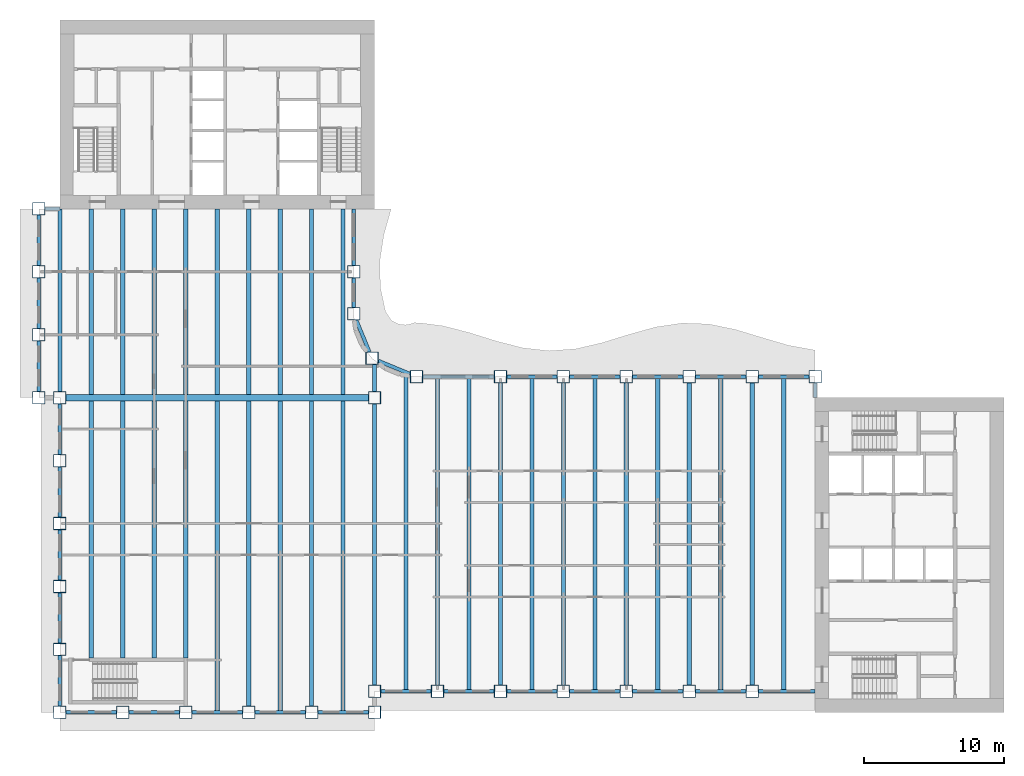
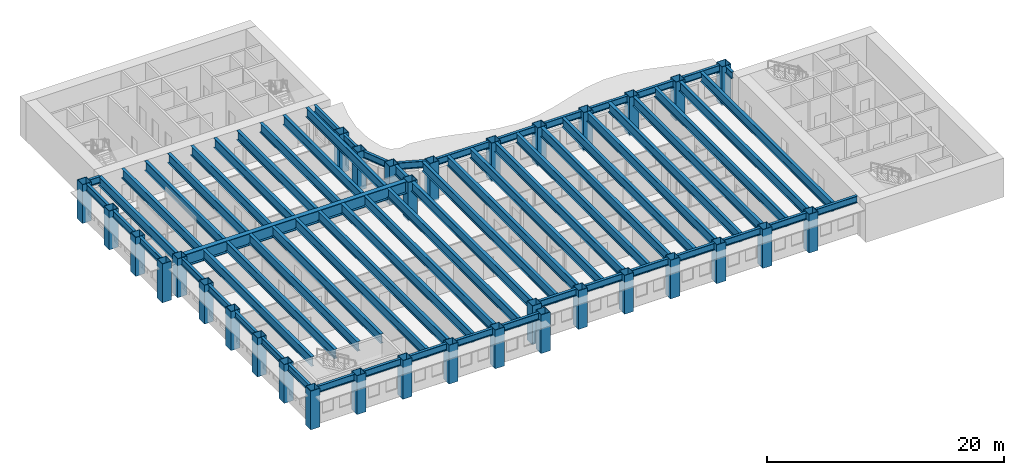
# One storey, part 1 of 16: 67 beams, 33 columns.
"""IFC4 building model written with IfcOpenShell, lengths in metres."""

from ifc_helpers import new_model, si_unit, direction, frame, origin, origin_2d, place, context, subcontext, project, spatial, hollow_rectangle, i_section, extrude, material, material_profile, profile_set, type_object, element, save


model = new_model("IFC4")

# Units and contexts
model_context = context("Model", 3, precision=1e-05, world=origin(), true_north=direction((0.0, 1.0)))
body_context = subcontext(model_context, "Body", "Model", "MODEL_VIEW")
ifc_project = project(units=[si_unit("LENGTHUNIT", "METRE"), si_unit("AREAUNIT", "SQUARE_METRE"), si_unit("VOLUMEUNIT", "CUBIC_METRE"), si_unit("PLANEANGLEUNIT", "RADIAN"), si_unit("MASSUNIT", "GRAM", prefix="KILO")], contexts=[model_context])

# Site, building, storey
site_placement = place(None, origin())
site = spatial("IfcSite", under=ifc_project, at=site_placement, CompositionType="ELEMENT")
building_placement = place(site_placement, origin())
building = spatial("IfcBuilding", under=site, at=building_placement, Name="Sennacour Bend Tower", CompositionType="ELEMENT")
storey_placement = place(building_placement, frame((0.0, 0.0, 171.0)))
storey = spatial("IfcBuildingStorey", under=building, at=storey_placement, Name="L39", CompositionType="ELEMENT", Elevation=171.0)

# Columns
ifc_material_1 = material(Name="Steel ASTM A572 Grade 50", Category="steel")
ifc_material_profile_1 = material_profile(ifc_material_1, hollow_rectangle(XDim=0.89990234375, YDim=0.89990234375, WallThickness=0.044921875, at=origin_2d()), Name="Steel ASTM A572 Grade 50", Category="steel")
ifc_profile_set_1 = profile_set([ifc_material_profile_1], Name="Steel ASTM A572 Grade 50")
column_type = type_object("IfcColumnType", Name="Box column 900", PredefinedType="COLUMN", material=ifc_profile_set_1)
for number, where, z_axis, x_axis, name in (
    (1, (-1.5, 22.5, -0.14990234375), (0.0, 0.0, 1.0), (1.0, 0.0, 0.0), "Perimeter column C3 L39-001"),
    (2, (-1.5, 27.0, -0.14990234375), (0.0, 0.0, 1.0), (1.0, 0.0, 0.0), "Perimeter column C3 L39-002"),
    (3, (-1.5, 31.5, -0.14990234375), (0.0, 0.0, 1.0), (1.0, 0.0, 0.0), "Perimeter column C3 L39-003"),
    (4, (-1.5, 36.0, -0.14990234375), (0.0, 0.0, 1.0), (1.0, 0.0, 0.0), "Perimeter column C3 L39-004"),
    (5, (0.0, 0.0, -0.14990234375), (0.0, 0.0, 1.0), (1.0, 0.0, 0.0), "Perimeter column C3 L39-005"),
    (6, (0.0, 4.5, -0.14990234375), (0.0, 0.0, 1.0), (1.0, 0.0, 0.0), "Perimeter column C3 L39-006"),
    (7, (0.0, 9.0, -0.14990234375), (0.0, 0.0, 1.0), (1.0, 0.0, 0.0), "Perimeter column C3 L39-007"),
    (8, (0.0, 13.5, -0.14990234375), (0.0, 0.0, 1.0), (1.0, 0.0, 0.0), "Perimeter column C3 L39-008"),
    (9, (0.0, 18.0, -0.14990234375), (0.0, 0.0, 1.0), (1.0, 0.0, 0.0), "Perimeter column C3 L39-009"),
    (10, (0.0, 22.5, -0.14990234375), (0.0, 0.0, 1.0), (1.0, 0.0, 0.0), "Perimeter column C3 L39-010"),
    (11, (4.5, 0.0, -0.14990234375), (0.0, 0.0, 1.0), (1.0, 0.0, 0.0), "Perimeter column C3 L39-011"),
    (12, (9.0, 0.0, -0.14990234375), (0.0, 0.0, 1.0), (1.0, 0.0, 0.0), "Perimeter column C3 L39-012"),
    (13, (13.5, 0.0, -0.14990234375), (0.0, 0.0, 1.0), (1.0, 0.0, 0.0), "Perimeter column C3 L39-013"),
    (14, (18.0, 0.0, -0.14990234375), (0.0, 0.0, 1.0), (1.0, 0.0, 0.0), "Perimeter column C3 L39-014"),
    (15, (21.0, 28.5, -0.14990234375), (0.0, 0.0, 1.0), (1.0, 0.0, 0.0), "Perimeter column C3 L39-015"),
    (16, (21.0, 31.5, -0.14990234375), (0.0, 0.0, 1.0), (1.0, 0.0, 0.0), "Perimeter column C3 L39-016"),
    (17, (22.318115234375, 25.318115234375, -0.14990234375), (0.0, 0.0, 1.0), (1.0, 0.0, 0.0), "Perimeter column C3 L39-017"),
    (18, (22.5, 0.0, -0.14990234375), (0.0, 0.0, 1.0), (1.0, 0.0, 0.0), "Perimeter column C3 L39-018"),
    (19, (22.5, 1.5, -0.14990234375), (0.0, 0.0, 1.0), (1.0, 0.0, 0.0), "Perimeter column C3 L39-019"),
    (20, (22.5, 22.5, -0.14990234375), (0.0, 0.0, 1.0), (1.0, 0.0, 0.0), "Knuckle column C3 L39-020"),
    (21, (25.5, 24.0, -0.14990234375), (0.0, 0.0, 1.0), (1.0, 0.0, 0.0), "Perimeter column C3 L39-021"),
    (22, (27.0, 1.5, -0.14990234375), (0.0, 0.0, 1.0), (1.0, 0.0, 0.0), "Perimeter column C3 L39-022"),
    (23, (31.5, 1.5, -0.14990234375), (0.0, 0.0, 1.0), (1.0, 0.0, 0.0), "Perimeter column C3 L39-023"),
    (24, (31.5, 24.0, -0.14990234375), (0.0, 0.0, 1.0), (1.0, 0.0, 0.0), "Perimeter column C3 L39-024"),
    (25, (36.0, 1.5, -0.14990234375), (0.0, 0.0, 1.0), (1.0, 0.0, 0.0), "Perimeter column C3 L39-025"),
    (26, (36.0, 24.0, -0.14990234375), (0.0, 0.0, 1.0), (1.0, 0.0, 0.0), "Perimeter column C3 L39-026"),
    (27, (40.5, 1.5, -0.14990234375), (0.0, 0.0, 1.0), (1.0, 0.0, 0.0), "Perimeter column C3 L39-027"),
    (28, (40.5, 24.0, -0.14990234375), (0.0, 0.0, 1.0), (1.0, 0.0, 0.0), "Perimeter column C3 L39-028"),
    (29, (45.0, 1.5, -0.14990234375), (0.0, 0.0, 1.0), (1.0, 0.0, 0.0), "Perimeter column C3 L39-029"),
    (30, (45.0, 24.0, -0.14990234375), (0.0, 0.0, 1.0), (1.0, 0.0, 0.0), "Perimeter column C3 L39-030"),
    (31, (49.5, 1.5, -0.14990234375), (0.0, 0.0, 1.0), (1.0, 0.0, 0.0), "Perimeter column C3 L39-031"),
    (32, (49.5, 24.0, -0.14990234375), (0.0, 0.0, 1.0), (1.0, 0.0, 0.0), "Perimeter column C3 L39-032"),
    (33, (54.0, 24.0, -0.14990234375), (0.0, 0.0, 1.0), (1.0, 0.0, 0.0), "Perimeter column C3 L39-033"),
):
    element("IfcColumn", number, at=place(storey_placement, frame(where, z_axis=z_axis, x_axis=x_axis)), inside=storey, type_object=column_type, Name=name, PredefinedType="COLUMN", context=body_context, shape_type="SweptSolid", body=[
        extrude(hollow_rectangle(XDim=0.89990234375, YDim=0.89990234375, WallThickness=0.044921875, at=origin_2d()), origin(), (0.0, 0.0, 1.0), 4.0),
    ])

# Beams
ifc_material_2 = material(Name="Steel ASTM A992 Grade 50", Category="steel")
ifc_material_profile_2 = material_profile(ifc_material_2, i_section(OverallWidth=0.300048828125, OverallDepth=0.97998046875, WebThickness=0.0166015625, FlangeThickness=0.026123046875, FilletRadius=0.02978515625, at=origin_2d()), Name="Steel ASTM A992 Grade 50", Category="steel")
ifc_profile_set_2 = profile_set([ifc_material_profile_2], Name="Steel ASTM A992 Grade 50")
beam_type_1 = type_object("IfcBeamType", Name="Floor beam W1000X249", PredefinedType="BEAM", material=ifc_profile_set_2)
beam_1_placement = place(storey_placement, frame((0.0, 22.949951171875, 3.360107421875), z_axis=(0.0, 1.0, 0.0), x_axis=(-1.0, 0.0, 0.0)))
element("IfcBeam", 34, at=beam_1_placement, inside=storey, type_object=beam_type_1, Name="Floor beam FBM2 L40-001", PredefinedType="BEAM", context=body_context, shape_type="SweptSolid", body=[
    extrude(i_section(OverallWidth=0.300048828125, OverallDepth=0.97998046875, WebThickness=0.0166015625, FlangeThickness=0.026123046875, FilletRadius=0.02978515625, at=origin_2d()), origin(), (0.0, 0.0, 1.0), 13.050048828125),
])
beam_2_placement = place(storey_placement, frame((2.25, 3.875, 3.360107421875), z_axis=(0.0, 1.0, 0.0), x_axis=(-1.0, 0.0, 0.0)))
element("IfcBeam", 35, at=beam_2_placement, inside=storey, type_object=beam_type_1, Name="Floor beam FBM2 L40-002", PredefinedType="BEAM", context=body_context, shape_type="SweptSolid", body=[
    extrude(i_section(OverallWidth=0.300048828125, OverallDepth=0.97998046875, WebThickness=0.0166015625, FlangeThickness=0.026123046875, FilletRadius=0.02978515625, at=origin_2d()), origin(), (0.0, 0.0, 1.0), 18.39990234375),
])
beam_3_placement = place(storey_placement, frame((2.25, 22.72509765625, 3.360107421875), z_axis=(0.0, 1.0, 0.0), x_axis=(-1.0, 0.0, 0.0)))
element("IfcBeam", 36, at=beam_3_placement, inside=storey, type_object=beam_type_1, Name="Floor beam FBM2 L40-003", PredefinedType="BEAM", context=body_context, shape_type="SweptSolid", body=[
    extrude(i_section(OverallWidth=0.300048828125, OverallDepth=0.97998046875, WebThickness=0.0166015625, FlangeThickness=0.026123046875, FilletRadius=0.02978515625, at=origin_2d()), origin(), (0.0, 0.0, 1.0), 13.27490234375),
])
beam_4_placement = place(storey_placement, frame((4.5, 3.875, 3.360107421875), z_axis=(0.0, 1.0, 0.0), x_axis=(-1.0, 0.0, 0.0)))
element("IfcBeam", 37, at=beam_4_placement, inside=storey, type_object=beam_type_1, Name="Floor beam FBM2 L40-004", PredefinedType="BEAM", context=body_context, shape_type="SweptSolid", body=[
    extrude(i_section(OverallWidth=0.300048828125, OverallDepth=0.97998046875, WebThickness=0.0166015625, FlangeThickness=0.026123046875, FilletRadius=0.02978515625, at=origin_2d()), origin(), (0.0, 0.0, 1.0), 18.39990234375),
])
beam_5_placement = place(storey_placement, frame((4.5, 22.72509765625, 3.360107421875), z_axis=(0.0, 1.0, 0.0), x_axis=(-1.0, 0.0, 0.0)))
element("IfcBeam", 38, at=beam_5_placement, inside=storey, type_object=beam_type_1, Name="Floor beam FBM2 L40-005", PredefinedType="BEAM", context=body_context, shape_type="SweptSolid", body=[
    extrude(i_section(OverallWidth=0.300048828125, OverallDepth=0.97998046875, WebThickness=0.0166015625, FlangeThickness=0.026123046875, FilletRadius=0.02978515625, at=origin_2d()), origin(), (0.0, 0.0, 1.0), 13.27490234375),
])
beam_6_placement = place(storey_placement, frame((6.75, 3.875, 3.360107421875), z_axis=(0.0, 1.0, 0.0), x_axis=(-1.0, 0.0, 0.0)))
element("IfcBeam", 39, at=beam_6_placement, inside=storey, type_object=beam_type_1, Name="Floor beam FBM2 L40-006", PredefinedType="BEAM", context=body_context, shape_type="SweptSolid", body=[
    extrude(i_section(OverallWidth=0.300048828125, OverallDepth=0.97998046875, WebThickness=0.0166015625, FlangeThickness=0.026123046875, FilletRadius=0.02978515625, at=origin_2d()), origin(), (0.0, 0.0, 1.0), 18.39990234375),
])
beam_7_placement = place(storey_placement, frame((6.75, 22.72509765625, 3.360107421875), z_axis=(0.0, 1.0, 0.0), x_axis=(-1.0, 0.0, 0.0)))
element("IfcBeam", 40, at=beam_7_placement, inside=storey, type_object=beam_type_1, Name="Floor beam FBM2 L40-007", PredefinedType="BEAM", context=body_context, shape_type="SweptSolid", body=[
    extrude(i_section(OverallWidth=0.300048828125, OverallDepth=0.97998046875, WebThickness=0.0166015625, FlangeThickness=0.026123046875, FilletRadius=0.02978515625, at=origin_2d()), origin(), (0.0, 0.0, 1.0), 13.27490234375),
])
beam_8_placement = place(storey_placement, frame((9.0, 3.875, 3.360107421875), z_axis=(0.0, 1.0, 0.0), x_axis=(-1.0, 0.0, 0.0)))
element("IfcBeam", 41, at=beam_8_placement, inside=storey, type_object=beam_type_1, Name="Floor beam FBM2 L40-008", PredefinedType="BEAM", context=body_context, shape_type="SweptSolid", body=[
    extrude(i_section(OverallWidth=0.300048828125, OverallDepth=0.97998046875, WebThickness=0.0166015625, FlangeThickness=0.026123046875, FilletRadius=0.02978515625, at=origin_2d()), origin(), (0.0, 0.0, 1.0), 18.39990234375),
])
beam_9_placement = place(storey_placement, frame((9.0, 22.72509765625, 3.360107421875), z_axis=(0.0, 1.0, 0.0), x_axis=(-1.0, 0.0, 0.0)))
element("IfcBeam", 42, at=beam_9_placement, inside=storey, type_object=beam_type_1, Name="Floor beam FBM2 L40-009", PredefinedType="BEAM", context=body_context, shape_type="SweptSolid", body=[
    extrude(i_section(OverallWidth=0.300048828125, OverallDepth=0.97998046875, WebThickness=0.0166015625, FlangeThickness=0.026123046875, FilletRadius=0.02978515625, at=origin_2d()), origin(), (0.0, 0.0, 1.0), 13.27490234375),
])
beam_10_placement = place(storey_placement, frame((11.25, 0.126953125, 3.360107421875), z_axis=(0.0, 1.0, 0.0), x_axis=(-1.0, 0.0, 0.0)))
element("IfcBeam", 43, at=beam_10_placement, inside=storey, type_object=beam_type_1, Name="Floor beam FBM2 L40-010", PredefinedType="BEAM", context=body_context, shape_type="SweptSolid", body=[
    extrude(i_section(OverallWidth=0.300048828125, OverallDepth=0.97998046875, WebThickness=0.0166015625, FlangeThickness=0.026123046875, FilletRadius=0.02978515625, at=origin_2d()), origin(), (0.0, 0.0, 1.0), 22.14794921875),
])
beam_11_placement = place(storey_placement, frame((11.25, 22.72509765625, 3.360107421875), z_axis=(0.0, 1.0, 0.0), x_axis=(-1.0, 0.0, 0.0)))
element("IfcBeam", 44, at=beam_11_placement, inside=storey, type_object=beam_type_1, Name="Floor beam FBM2 L40-011", PredefinedType="BEAM", context=body_context, shape_type="SweptSolid", body=[
    extrude(i_section(OverallWidth=0.300048828125, OverallDepth=0.97998046875, WebThickness=0.0166015625, FlangeThickness=0.026123046875, FilletRadius=0.02978515625, at=origin_2d()), origin(), (0.0, 0.0, 1.0), 13.27490234375),
])
beam_12_placement = place(storey_placement, frame((13.5, 0.449951171875, 3.360107421875), z_axis=(0.0, 1.0, 0.0), x_axis=(-1.0, 0.0, 0.0)))
element("IfcBeam", 45, at=beam_12_placement, inside=storey, type_object=beam_type_1, Name="Floor beam FBM2 L40-012", PredefinedType="BEAM", context=body_context, shape_type="SweptSolid", body=[
    extrude(i_section(OverallWidth=0.300048828125, OverallDepth=0.97998046875, WebThickness=0.0166015625, FlangeThickness=0.026123046875, FilletRadius=0.02978515625, at=origin_2d()), origin(), (0.0, 0.0, 1.0), 21.824951171875),
])
beam_13_placement = place(storey_placement, frame((13.5, 22.72509765625, 3.360107421875), z_axis=(0.0, 1.0, 0.0), x_axis=(-1.0, 0.0, 0.0)))
element("IfcBeam", 46, at=beam_13_placement, inside=storey, type_object=beam_type_1, Name="Floor beam FBM2 L40-013", PredefinedType="BEAM", context=body_context, shape_type="SweptSolid", body=[
    extrude(i_section(OverallWidth=0.300048828125, OverallDepth=0.97998046875, WebThickness=0.0166015625, FlangeThickness=0.026123046875, FilletRadius=0.02978515625, at=origin_2d()), origin(), (0.0, 0.0, 1.0), 13.27490234375),
])
beam_14_placement = place(storey_placement, frame((15.75, 0.126953125, 3.360107421875), z_axis=(0.0, 1.0, 0.0), x_axis=(-1.0, 0.0, 0.0)))
element("IfcBeam", 47, at=beam_14_placement, inside=storey, type_object=beam_type_1, Name="Floor beam FBM2 L40-014", PredefinedType="BEAM", context=body_context, shape_type="SweptSolid", body=[
    extrude(i_section(OverallWidth=0.300048828125, OverallDepth=0.97998046875, WebThickness=0.0166015625, FlangeThickness=0.026123046875, FilletRadius=0.02978515625, at=origin_2d()), origin(), (0.0, 0.0, 1.0), 22.14794921875),
])
beam_15_placement = place(storey_placement, frame((15.75, 22.72509765625, 3.360107421875), z_axis=(0.0, 1.0, 0.0), x_axis=(-1.0, 0.0, 0.0)))
element("IfcBeam", 48, at=beam_15_placement, inside=storey, type_object=beam_type_1, Name="Floor beam FBM2 L40-015", PredefinedType="BEAM", context=body_context, shape_type="SweptSolid", body=[
    extrude(i_section(OverallWidth=0.300048828125, OverallDepth=0.97998046875, WebThickness=0.0166015625, FlangeThickness=0.026123046875, FilletRadius=0.02978515625, at=origin_2d()), origin(), (0.0, 0.0, 1.0), 13.27490234375),
])
beam_16_placement = place(storey_placement, frame((18.0, 0.449951171875, 3.360107421875), z_axis=(0.0, 1.0, 0.0), x_axis=(-1.0, 0.0, 0.0)))
element("IfcBeam", 49, at=beam_16_placement, inside=storey, type_object=beam_type_1, Name="Floor beam FBM2 L40-016", PredefinedType="BEAM", context=body_context, shape_type="SweptSolid", body=[
    extrude(i_section(OverallWidth=0.300048828125, OverallDepth=0.97998046875, WebThickness=0.0166015625, FlangeThickness=0.026123046875, FilletRadius=0.02978515625, at=origin_2d()), origin(), (0.0, 0.0, 1.0), 21.824951171875),
])
beam_17_placement = place(storey_placement, frame((18.0, 22.72509765625, 3.360107421875), z_axis=(0.0, 1.0, 0.0), x_axis=(-1.0, 0.0, 0.0)))
element("IfcBeam", 50, at=beam_17_placement, inside=storey, type_object=beam_type_1, Name="Floor beam FBM2 L40-017", PredefinedType="BEAM", context=body_context, shape_type="SweptSolid", body=[
    extrude(i_section(OverallWidth=0.300048828125, OverallDepth=0.97998046875, WebThickness=0.0166015625, FlangeThickness=0.026123046875, FilletRadius=0.02978515625, at=origin_2d()), origin(), (0.0, 0.0, 1.0), 13.27490234375),
])
beam_18_placement = place(storey_placement, frame((20.25, 0.126953125, 3.360107421875), z_axis=(0.0, 1.0, 0.0), x_axis=(-1.0, 0.0, 0.0)))
element("IfcBeam", 51, at=beam_18_placement, inside=storey, type_object=beam_type_1, Name="Floor beam FBM2 L40-018", PredefinedType="BEAM", context=body_context, shape_type="SweptSolid", body=[
    extrude(i_section(OverallWidth=0.300048828125, OverallDepth=0.97998046875, WebThickness=0.0166015625, FlangeThickness=0.026123046875, FilletRadius=0.02978515625, at=origin_2d()), origin(), (0.0, 0.0, 1.0), 22.14794921875),
])
beam_19_placement = place(storey_placement, frame((20.25, 22.72509765625, 3.360107421875), z_axis=(0.0, 1.0, 0.0), x_axis=(-1.0, 0.0, 0.0)))
element("IfcBeam", 52, at=beam_19_placement, inside=storey, type_object=beam_type_1, Name="Floor beam FBM2 L40-019", PredefinedType="BEAM", context=body_context, shape_type="SweptSolid", body=[
    extrude(i_section(OverallWidth=0.300048828125, OverallDepth=0.97998046875, WebThickness=0.0166015625, FlangeThickness=0.026123046875, FilletRadius=0.02978515625, at=origin_2d()), origin(), (0.0, 0.0, 1.0), 13.27490234375),
])
beam_20_placement = place(storey_placement, frame((22.5, 1.949951171875, 3.360107421875), z_axis=(0.0, 1.0, 0.0), x_axis=(-1.0, 0.0, 0.0)))
element("IfcBeam", 53, at=beam_20_placement, inside=storey, type_object=beam_type_1, Name="Floor beam FBM2 L40-020", PredefinedType="BEAM", context=body_context, shape_type="SweptSolid", body=[
    extrude(i_section(OverallWidth=0.300048828125, OverallDepth=0.97998046875, WebThickness=0.0166015625, FlangeThickness=0.026123046875, FilletRadius=0.02978515625, at=origin_2d()), origin(), (0.0, 0.0, 1.0), 20.10009765625),
])
beam_21_placement = place(storey_placement, frame((22.5, 22.949951171875, 3.360107421875), z_axis=(0.0, 1.0, 0.0), x_axis=(-1.0, 0.0, 0.0)))
element("IfcBeam", 54, at=beam_21_placement, inside=storey, type_object=beam_type_1, Name="Floor beam FBM2 L40-021", PredefinedType="BEAM", context=body_context, shape_type="SweptSolid", body=[
    extrude(i_section(OverallWidth=0.300048828125, OverallDepth=0.97998046875, WebThickness=0.0166015625, FlangeThickness=0.026123046875, FilletRadius=0.02978515625, at=origin_2d()), origin(), (0.0, 0.0, 1.0), 1.91796875),
])
beam_22_placement = place(storey_placement, frame((24.75, 1.626953125, 3.360107421875), z_axis=(0.0, 1.0, 0.0), x_axis=(-1.0, 0.0, 0.0)))
element("IfcBeam", 55, at=beam_22_placement, inside=storey, type_object=beam_type_1, Name="Floor beam FBM2 L40-022", PredefinedType="BEAM", context=body_context, shape_type="SweptSolid", body=[
    extrude(i_section(OverallWidth=0.300048828125, OverallDepth=0.97998046875, WebThickness=0.0166015625, FlangeThickness=0.026123046875, FilletRadius=0.02978515625, at=origin_2d()), origin(), (0.0, 0.0, 1.0), 22.546142578125),
])
beam_23_placement = place(storey_placement, frame((27.0, 1.949951171875, 3.360107421875), z_axis=(0.0, 1.0, 0.0), x_axis=(-1.0, 0.0, 0.0)))
element("IfcBeam", 56, at=beam_23_placement, inside=storey, type_object=beam_type_1, Name="Floor beam FBM2 L40-023", PredefinedType="BEAM", context=body_context, shape_type="SweptSolid", body=[
    extrude(i_section(OverallWidth=0.300048828125, OverallDepth=0.97998046875, WebThickness=0.0166015625, FlangeThickness=0.026123046875, FilletRadius=0.02978515625, at=origin_2d()), origin(), (0.0, 0.0, 1.0), 21.923095703125),
])
beam_24_placement = place(storey_placement, frame((29.25, 1.626953125, 3.360107421875), z_axis=(0.0, 1.0, 0.0), x_axis=(-1.0, 0.0, 0.0)))
element("IfcBeam", 57, at=beam_24_placement, inside=storey, type_object=beam_type_1, Name="Floor beam FBM2 L40-024", PredefinedType="BEAM", context=body_context, shape_type="SweptSolid", body=[
    extrude(i_section(OverallWidth=0.300048828125, OverallDepth=0.97998046875, WebThickness=0.0166015625, FlangeThickness=0.026123046875, FilletRadius=0.02978515625, at=origin_2d()), origin(), (0.0, 0.0, 1.0), 22.24609375),
])
beam_25_placement = place(storey_placement, frame((31.5, 1.949951171875, 3.360107421875), z_axis=(0.0, 1.0, 0.0), x_axis=(-1.0, 0.0, 0.0)))
element("IfcBeam", 58, at=beam_25_placement, inside=storey, type_object=beam_type_1, Name="Floor beam FBM2 L40-025", PredefinedType="BEAM", context=body_context, shape_type="SweptSolid", body=[
    extrude(i_section(OverallWidth=0.300048828125, OverallDepth=0.97998046875, WebThickness=0.0166015625, FlangeThickness=0.026123046875, FilletRadius=0.02978515625, at=origin_2d()), origin(), (0.0, 0.0, 1.0), 21.60009765625),
])
beam_26_placement = place(storey_placement, frame((33.75, 1.626953125, 3.360107421875), z_axis=(0.0, 1.0, 0.0), x_axis=(-1.0, 0.0, 0.0)))
element("IfcBeam", 59, at=beam_26_placement, inside=storey, type_object=beam_type_1, Name="Floor beam FBM2 L40-026", PredefinedType="BEAM", context=body_context, shape_type="SweptSolid", body=[
    extrude(i_section(OverallWidth=0.300048828125, OverallDepth=0.97998046875, WebThickness=0.0166015625, FlangeThickness=0.026123046875, FilletRadius=0.02978515625, at=origin_2d()), origin(), (0.0, 0.0, 1.0), 22.24609375),
])
beam_27_placement = place(storey_placement, frame((36.0, 1.949951171875, 3.360107421875), z_axis=(0.0, 1.0, 0.0), x_axis=(-1.0, 0.0, 0.0)))
element("IfcBeam", 60, at=beam_27_placement, inside=storey, type_object=beam_type_1, Name="Floor beam FBM2 L40-027", PredefinedType="BEAM", context=body_context, shape_type="SweptSolid", body=[
    extrude(i_section(OverallWidth=0.300048828125, OverallDepth=0.97998046875, WebThickness=0.0166015625, FlangeThickness=0.026123046875, FilletRadius=0.02978515625, at=origin_2d()), origin(), (0.0, 0.0, 1.0), 21.60009765625),
])
beam_28_placement = place(storey_placement, frame((38.25, 1.626953125, 3.360107421875), z_axis=(0.0, 1.0, 0.0), x_axis=(-1.0, 0.0, 0.0)))
element("IfcBeam", 61, at=beam_28_placement, inside=storey, type_object=beam_type_1, Name="Floor beam FBM2 L40-028", PredefinedType="BEAM", context=body_context, shape_type="SweptSolid", body=[
    extrude(i_section(OverallWidth=0.300048828125, OverallDepth=0.97998046875, WebThickness=0.0166015625, FlangeThickness=0.026123046875, FilletRadius=0.02978515625, at=origin_2d()), origin(), (0.0, 0.0, 1.0), 22.24609375),
])
beam_29_placement = place(storey_placement, frame((40.5, 1.949951171875, 3.360107421875), z_axis=(0.0, 1.0, 0.0), x_axis=(-1.0, 0.0, 0.0)))
element("IfcBeam", 62, at=beam_29_placement, inside=storey, type_object=beam_type_1, Name="Floor beam FBM2 L40-029", PredefinedType="BEAM", context=body_context, shape_type="SweptSolid", body=[
    extrude(i_section(OverallWidth=0.300048828125, OverallDepth=0.97998046875, WebThickness=0.0166015625, FlangeThickness=0.026123046875, FilletRadius=0.02978515625, at=origin_2d()), origin(), (0.0, 0.0, 1.0), 21.60009765625),
])
beam_30_placement = place(storey_placement, frame((42.75, 1.626953125, 3.360107421875), z_axis=(0.0, 1.0, 0.0), x_axis=(-1.0, 0.0, 0.0)))
element("IfcBeam", 63, at=beam_30_placement, inside=storey, type_object=beam_type_1, Name="Floor beam FBM2 L40-030", PredefinedType="BEAM", context=body_context, shape_type="SweptSolid", body=[
    extrude(i_section(OverallWidth=0.300048828125, OverallDepth=0.97998046875, WebThickness=0.0166015625, FlangeThickness=0.026123046875, FilletRadius=0.02978515625, at=origin_2d()), origin(), (0.0, 0.0, 1.0), 22.24609375),
])
beam_31_placement = place(storey_placement, frame((45.0, 1.949951171875, 3.360107421875), z_axis=(0.0, 1.0, 0.0), x_axis=(-1.0, 0.0, 0.0)))
element("IfcBeam", 64, at=beam_31_placement, inside=storey, type_object=beam_type_1, Name="Floor beam FBM2 L40-031", PredefinedType="BEAM", context=body_context, shape_type="SweptSolid", body=[
    extrude(i_section(OverallWidth=0.300048828125, OverallDepth=0.97998046875, WebThickness=0.0166015625, FlangeThickness=0.026123046875, FilletRadius=0.02978515625, at=origin_2d()), origin(), (0.0, 0.0, 1.0), 21.60009765625),
])
beam_32_placement = place(storey_placement, frame((47.25, 1.626953125, 3.360107421875), z_axis=(0.0, 1.0, 0.0), x_axis=(-1.0, 0.0, 0.0)))
element("IfcBeam", 65, at=beam_32_placement, inside=storey, type_object=beam_type_1, Name="Floor beam FBM2 L40-032", PredefinedType="BEAM", context=body_context, shape_type="SweptSolid", body=[
    extrude(i_section(OverallWidth=0.300048828125, OverallDepth=0.97998046875, WebThickness=0.0166015625, FlangeThickness=0.026123046875, FilletRadius=0.02978515625, at=origin_2d()), origin(), (0.0, 0.0, 1.0), 22.24609375),
])
beam_33_placement = place(storey_placement, frame((49.5, 1.949951171875, 3.360107421875), z_axis=(0.0, 1.0, 0.0), x_axis=(-1.0, 0.0, 0.0)))
element("IfcBeam", 66, at=beam_33_placement, inside=storey, type_object=beam_type_1, Name="Floor beam FBM2 L40-033", PredefinedType="BEAM", context=body_context, shape_type="SweptSolid", body=[
    extrude(i_section(OverallWidth=0.300048828125, OverallDepth=0.97998046875, WebThickness=0.0166015625, FlangeThickness=0.026123046875, FilletRadius=0.02978515625, at=origin_2d()), origin(), (0.0, 0.0, 1.0), 21.60009765625),
])
beam_34_placement = place(storey_placement, frame((51.75, 1.626953125, 3.360107421875), z_axis=(0.0, 1.0, 0.0), x_axis=(-1.0, 0.0, 0.0)))
element("IfcBeam", 67, at=beam_34_placement, inside=storey, type_object=beam_type_1, Name="Floor beam FBM2 L40-034", PredefinedType="BEAM", context=body_context, shape_type="SweptSolid", body=[
    extrude(i_section(OverallWidth=0.300048828125, OverallDepth=0.97998046875, WebThickness=0.0166015625, FlangeThickness=0.026123046875, FilletRadius=0.02978515625, at=origin_2d()), origin(), (0.0, 0.0, 1.0), 22.24609375),
])
ifc_material_profile_3 = material_profile(ifc_material_1, i_section(OverallWidth=0.449951171875, OverallDepth=1.25, WebThickness=0.028076171875, FlangeThickness=0.050048828125, at=origin_2d()), Name="Steel ASTM A572 Grade 50", Category="steel")
ifc_profile_set_3 = profile_set([ifc_material_profile_3], Name="Steel ASTM A572 Grade 50")
beam_type_2 = type_object("IfcBeamType", Name="Knuckle girder 1250", PredefinedType="USERDEFINED", material=ifc_profile_set_3)
beam_35_placement = place(storey_placement, frame((0.449951171875, 22.5, 3.22509765625), z_axis=(1.0, 0.0, 0.0), x_axis=(0.0, 1.0, 0.0)))
element("IfcBeam", 68, at=beam_35_placement, inside=storey, type_object=beam_type_2, Name="Knuckle girder GK L40-001", ObjectType="KNUCKLE GIRDER", PredefinedType="USERDEFINED", context=body_context, shape_type="SweptSolid", body=[
    extrude(i_section(OverallWidth=0.449951171875, OverallDepth=1.25, WebThickness=0.028076171875, FlangeThickness=0.050048828125, at=origin_2d()), origin(), (0.0, 0.0, 1.0), 21.60009765625),
])
ifc_material_profile_4 = material_profile(ifc_material_2, i_section(OverallWidth=0.25390625, OverallDepth=0.700927734375, WebThickness=0.015380859375, FlangeThickness=0.02783203125, FilletRadius=0.015380859375, at=origin_2d()), Name="Steel ASTM A992 Grade 50", Category="steel")
ifc_profile_set_4 = profile_set([ifc_material_profile_4], Name="Steel ASTM A992 Grade 50")
beam_type_3 = type_object("IfcBeamType", Name="Spandrel beam W690X192", PredefinedType="SPANDREL", material=ifc_profile_set_4)
for number, where, z_axis, x_axis, name in (
    (69, (0.0, 0.449951171875, 3.49951171875), (0.0, 1.0, 0.0), (-1.0, 0.0, 0.0), "Spandrel beam SP4 L40-001"),
    (70, (0.0, 4.949951171875, 3.49951171875), (0.0, 1.0, 0.0), (-1.0, 0.0, 0.0), "Spandrel beam SP4 L40-002"),
    (71, (0.0, 9.449951171875, 3.49951171875), (0.0, 1.0, 0.0), (-1.0, 0.0, 0.0), "Spandrel beam SP4 L40-003"),
    (72, (0.0, 13.949951171875, 3.49951171875), (0.0, 1.0, 0.0), (-1.0, 0.0, 0.0), "Spandrel beam SP4 L40-004"),
    (73, (0.0, 18.449951171875, 3.49951171875), (0.0, 1.0, 0.0), (-1.0, 0.0, 0.0), "Spandrel beam SP4 L40-005"),
    (74, (-1.5, 22.949951171875, 3.49951171875), (0.0, 1.0, 0.0), (-1.0, 0.0, 0.0), "Spandrel beam SP4 L40-006"),
    (75, (-1.5, 27.449951171875, 3.49951171875), (0.0, 1.0, 0.0), (-1.0, 0.0, 0.0), "Spandrel beam SP4 L40-007"),
    (76, (-1.5, 31.949951171875, 3.49951171875), (0.0, 1.0, 0.0), (-1.0, 0.0, 0.0), "Spandrel beam SP4 L40-008"),
):
    element("IfcBeam", number, at=place(storey_placement, frame(where, z_axis=z_axis, x_axis=x_axis)), inside=storey, type_object=beam_type_3, Name=name, PredefinedType="SPANDREL", context=body_context, shape_type="SweptSolid", body=[
        extrude(i_section(OverallWidth=0.25390625, OverallDepth=0.700927734375, WebThickness=0.015380859375, FlangeThickness=0.02783203125, FilletRadius=0.015380859375, at=origin_2d()), origin(), (0.0, 0.0, 1.0), 3.60009765625),
    ])
beam_36_placement = place(storey_placement, frame((-1.050048828125, 36.0, 3.49951171875), z_axis=(1.0, 0.0, 0.0), x_axis=(0.0, 1.0, 0.0)))
element("IfcBeam", 77, at=beam_36_placement, inside=storey, type_object=beam_type_3, Name="Spandrel beam SP4 L40-009", PredefinedType="SPANDREL", context=body_context, shape_type="SweptSolid", body=[
    extrude(i_section(OverallWidth=0.25390625, OverallDepth=0.700927734375, WebThickness=0.015380859375, FlangeThickness=0.02783203125, FilletRadius=0.015380859375, at=origin_2d()), origin(), (0.0, 0.0, 1.0), 1.050048828125),
])
beam_37_placement = place(storey_placement, frame((21.0, 36.0, 3.49951171875), z_axis=(0.0, -1.0, 0.0), x_axis=(1.0, 0.0, 0.0)))
element("IfcBeam", 78, at=beam_37_placement, inside=storey, type_object=beam_type_3, Name="Spandrel beam SP4 L40-010", PredefinedType="SPANDREL", context=body_context, shape_type="SweptSolid", body=[
    extrude(i_section(OverallWidth=0.25390625, OverallDepth=0.700927734375, WebThickness=0.015380859375, FlangeThickness=0.02783203125, FilletRadius=0.015380859375, at=origin_2d()), origin(), (0.0, 0.0, 1.0), 4.050048828125),
])
beam_38_placement = place(storey_placement, frame((21.0, 31.050048828125, 3.49951171875), z_axis=(0.0, -1.0, 0.0), x_axis=(1.0, 0.0, 0.0)))
element("IfcBeam", 79, at=beam_38_placement, inside=storey, type_object=beam_type_3, Name="Spandrel beam SP4 L40-011", PredefinedType="SPANDREL", context=body_context, shape_type="SweptSolid", body=[
    extrude(i_section(OverallWidth=0.25390625, OverallDepth=0.700927734375, WebThickness=0.015380859375, FlangeThickness=0.02783203125, FilletRadius=0.015380859375, at=origin_2d()), origin(), (0.0, 0.0, 1.0), 2.10009765625),
])
for number, where, z_axis, x_axis, name in (
    (80, (21.186279296875, 28.050048828125, 3.49951171875), (0.382712608723, -0.923867446728, 0.0), (0.923867446728, 0.382712608723, 0.0), "Spandrel beam SP4 L40-012"),
    (81, (22.76806640625, 25.131591796875, 3.49951171875), (0.923867446728, -0.382712608723, 0.0), (0.382712608723, 0.923867446728, 0.0), "Spandrel beam SP4 L40-013"),
):
    element("IfcBeam", number, at=place(storey_placement, frame(where, z_axis=z_axis, x_axis=x_axis)), inside=storey, type_object=beam_type_3, Name=name, PredefinedType="SPANDREL", context=body_context, shape_type="SweptSolid", body=[
        extrude(i_section(OverallWidth=0.25390625, OverallDepth=0.700927734375, WebThickness=0.015380859375, FlangeThickness=0.02783203125, FilletRadius=0.015380859375, at=origin_2d()), origin(), (0.0, 0.0, 1.0), 2.469970703125),
    ])
beam_39_placement = place(storey_placement, frame((25.949951171875, 24.0, 3.49951171875), z_axis=(1.0, 0.0, 0.0), x_axis=(0.0, 1.0, 0.0)))
element("IfcBeam", 82, at=beam_39_placement, inside=storey, type_object=beam_type_3, Name="Spandrel beam SP4 L40-014", PredefinedType="SPANDREL", context=body_context, shape_type="SweptSolid", body=[
    extrude(i_section(OverallWidth=0.25390625, OverallDepth=0.700927734375, WebThickness=0.015380859375, FlangeThickness=0.02783203125, FilletRadius=0.015380859375, at=origin_2d()), origin(), (0.0, 0.0, 1.0), 5.10009765625),
])
for number, where, z_axis, x_axis, name in (
    (83, (31.949951171875, 24.0, 3.49951171875), (1.0, 0.0, 0.0), (0.0, 1.0, 0.0), "Spandrel beam SP4 L40-015"),
    (84, (36.449951171875, 24.0, 3.49951171875), (1.0, 0.0, 0.0), (0.0, 1.0, 0.0), "Spandrel beam SP4 L40-016"),
    (85, (40.949951171875, 24.0, 3.49951171875), (1.0, 0.0, 0.0), (0.0, 1.0, 0.0), "Spandrel beam SP4 L40-017"),
    (86, (45.449951171875, 24.0, 3.49951171875), (1.0, 0.0, 0.0), (0.0, 1.0, 0.0), "Spandrel beam SP4 L40-018"),
    (87, (49.949951171875, 24.0, 3.49951171875), (1.0, 0.0, 0.0), (0.0, 1.0, 0.0), "Spandrel beam SP4 L40-019"),
):
    element("IfcBeam", number, at=place(storey_placement, frame(where, z_axis=z_axis, x_axis=x_axis)), inside=storey, type_object=beam_type_3, Name=name, PredefinedType="SPANDREL", context=body_context, shape_type="SweptSolid", body=[
        extrude(i_section(OverallWidth=0.25390625, OverallDepth=0.700927734375, WebThickness=0.015380859375, FlangeThickness=0.02783203125, FilletRadius=0.015380859375, at=origin_2d()), origin(), (0.0, 0.0, 1.0), 3.60009765625),
    ])
beam_40_placement = place(storey_placement, frame((54.0, 23.550048828125, 3.49951171875), z_axis=(0.0, -1.0, 0.0), x_axis=(1.0, 0.0, 0.0)))
element("IfcBeam", 88, at=beam_40_placement, inside=storey, type_object=beam_type_3, Name="Spandrel beam SP4 L40-020", PredefinedType="SPANDREL", context=body_context, shape_type="SweptSolid", body=[
    extrude(i_section(OverallWidth=0.25390625, OverallDepth=0.700927734375, WebThickness=0.015380859375, FlangeThickness=0.02783203125, FilletRadius=0.015380859375, at=origin_2d()), origin(), (0.0, 0.0, 1.0), 1.050048828125),
])
beam_41_placement = place(storey_placement, frame((54.0, 1.5, 3.49951171875), z_axis=(-1.0, 0.0, 0.0), x_axis=(0.0, -1.0, 0.0)))
element("IfcBeam", 89, at=beam_41_placement, inside=storey, type_object=beam_type_3, Name="Spandrel beam SP4 L40-021", PredefinedType="SPANDREL", context=body_context, shape_type="SweptSolid", body=[
    extrude(i_section(OverallWidth=0.25390625, OverallDepth=0.700927734375, WebThickness=0.015380859375, FlangeThickness=0.02783203125, FilletRadius=0.015380859375, at=origin_2d()), origin(), (0.0, 0.0, 1.0), 4.050048828125),
])
for number, where, z_axis, x_axis, name in (
    (90, (49.050048828125, 1.5, 3.49951171875), (-1.0, 0.0, 0.0), (0.0, -1.0, 0.0), "Spandrel beam SP4 L40-022"),
    (91, (44.550048828125, 1.5, 3.49951171875), (-1.0, 0.0, 0.0), (0.0, -1.0, 0.0), "Spandrel beam SP4 L40-023"),
    (92, (40.050048828125, 1.5, 3.49951171875), (-1.0, 0.0, 0.0), (0.0, -1.0, 0.0), "Spandrel beam SP4 L40-024"),
    (93, (35.550048828125, 1.5, 3.49951171875), (-1.0, 0.0, 0.0), (0.0, -1.0, 0.0), "Spandrel beam SP4 L40-025"),
    (94, (31.050048828125, 1.5, 3.49951171875), (-1.0, 0.0, 0.0), (0.0, -1.0, 0.0), "Spandrel beam SP4 L40-026"),
    (95, (26.550048828125, 1.5, 3.49951171875), (-1.0, 0.0, 0.0), (0.0, -1.0, 0.0), "Spandrel beam SP4 L40-027"),
    (96, (22.050048828125, 0.0, 3.49951171875), (-1.0, 0.0, 0.0), (0.0, -1.0, 0.0), "Spandrel beam SP4 L40-028"),
    (97, (17.550048828125, 0.0, 3.49951171875), (-1.0, 0.0, 0.0), (0.0, -1.0, 0.0), "Spandrel beam SP4 L40-029"),
    (98, (13.050048828125, 0.0, 3.49951171875), (-1.0, 0.0, 0.0), (0.0, -1.0, 0.0), "Spandrel beam SP4 L40-030"),
    (99, (8.550048828125, 0.0, 3.49951171875), (-1.0, 0.0, 0.0), (0.0, -1.0, 0.0), "Spandrel beam SP4 L40-031"),
    (100, (4.050048828125, 0.0, 3.49951171875), (-1.0, 0.0, 0.0), (0.0, -1.0, 0.0), "Spandrel beam SP4 L40-032"),
):
    element("IfcBeam", number, at=place(storey_placement, frame(where, z_axis=z_axis, x_axis=x_axis)), inside=storey, type_object=beam_type_3, Name=name, PredefinedType="SPANDREL", context=body_context, shape_type="SweptSolid", body=[
        extrude(i_section(OverallWidth=0.25390625, OverallDepth=0.700927734375, WebThickness=0.015380859375, FlangeThickness=0.02783203125, FilletRadius=0.015380859375, at=origin_2d()), origin(), (0.0, 0.0, 1.0), 3.60009765625),
    ])

save(model, "model.ifc")
